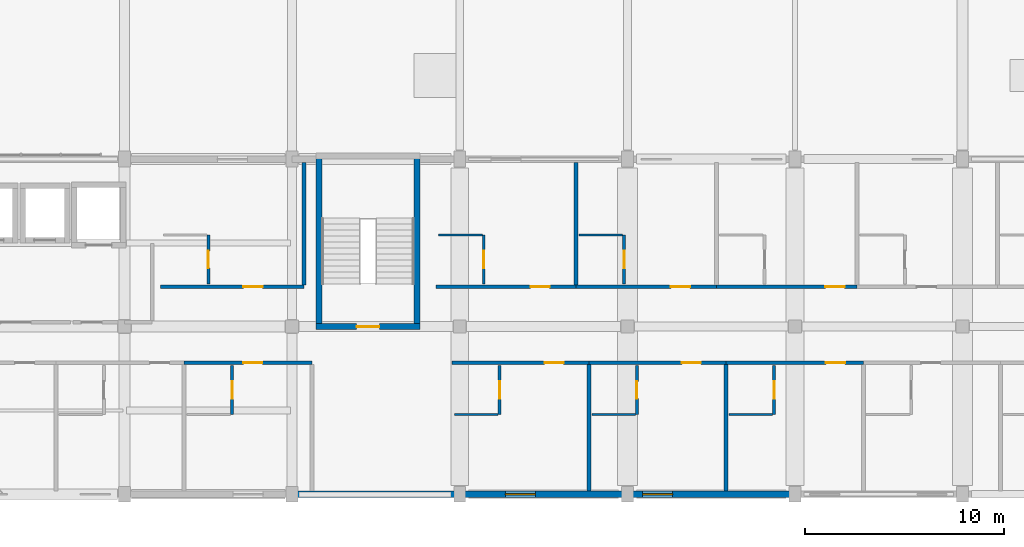
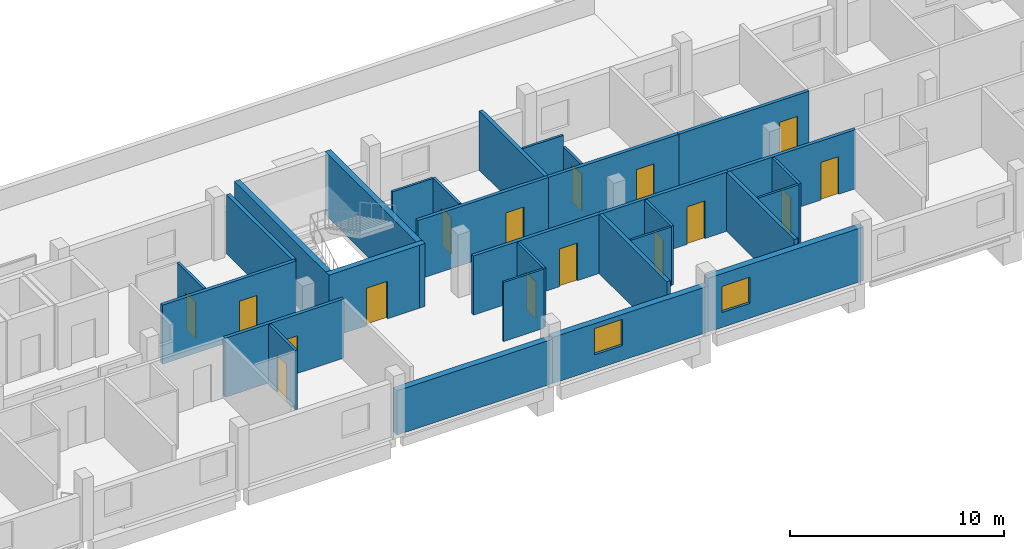
# One storey, part 34 of 42: 30 walls, 16 doors, 2 windows, 18 openings.
"""IFC4 building model written with IfcOpenShell, lengths in metres."""

from ifc_helpers import new_model, si_unit, derived_unit, direction, frame, frame_2d, origin, place, context, subcontext, project, spatial, rectangle, extrude, material, layer, layer_set, type_object, element, fill, save


model = new_model("IFC4")

# Units and contexts
model_context = context("Model", 3, precision=1e-05, world=origin(), true_north=direction((0.0, 1.0)))
body_context = subcontext(model_context, "Body", "Model", "MODEL_VIEW")
ifc_project = project(units=[si_unit("LENGTHUNIT", "METRE"), si_unit("AREAUNIT", "SQUARE_METRE"), si_unit("VOLUMEUNIT", "CUBIC_METRE"), si_unit("PLANEANGLEUNIT", "RADIAN"), si_unit("MASSUNIT", "GRAM", prefix="KILO"), derived_unit("THERMALTRANSMITTANCEUNIT", [(si_unit("POWERUNIT", "WATT"), 1), (si_unit("LENGTHUNIT", "METRE"), -2), (si_unit("THERMODYNAMICTEMPERATUREUNIT", "KELVIN"), -1)])], contexts=[model_context])

# Site, building, storey
site_placement = place(None, origin())
site = spatial("IfcSite", under=ifc_project, at=site_placement, CompositionType="ELEMENT")
building_placement = place(site_placement, origin())
building = spatial("IfcBuilding", under=site, at=building_placement, Name="Barrovel Congress Hotel", CompositionType="ELEMENT")
storey_placement = place(building_placement, frame((0.0, 0.0, 18.300048828125)))
storey = spatial("IfcBuildingStorey", under=building, at=storey_placement, Name="L04", CompositionType="ELEMENT", Elevation=18.300048828125)

# Wall
ifc_material_1 = material(Name="Fired Clay Brick Masonry", Category="masonry")
ifc_layer_1 = layer(ifc_material_1, 0.340087890625)
ifc_layer_set_1 = layer_set([ifc_layer_1], Name="Fired Clay Brick Masonry")
wall_type_1 = type_object("IfcWallType", Name="EW-BRK340", PredefinedType="STANDARD", material=ifc_layer_set_1)
wall_1_placement = place(storey_placement, frame((100.800048828125, 4.199951171875, 0.0), z_axis=(0.0, 0.0, 1.0), x_axis=(1.0, 0.0, 0.0)))
element("IfcWall", 1, at=wall_1_placement, inside=storey, type_object=wall_type_1, Name="EW:L04:HS-S:P09", PredefinedType="STANDARD", context=body_context, shape_type="SweptSolid", body=[
    extrude(rectangle(XDim=8.39990234375, YDim=0.340087890625, at=frame_2d((4.199951171875, 0.0))), origin(), (0.0, 0.0, 1.0), 2.530029296875),
])

# Wall, opening, window
wall_2_placement = place(storey_placement, frame((109.199951171875, 4.199951171875, 0.0), z_axis=(0.0, 0.0, 1.0), x_axis=(1.0, 0.0, 0.0)))
wall_2 = element("IfcWall", 2, at=wall_2_placement, inside=storey, type_object=wall_type_1, Name="EW:L04:HS-S:P10", PredefinedType="STANDARD", context=body_context, shape_type="SweptSolid", body=[
    extrude(rectangle(XDim=8.400146484375, YDim=0.340087890625, at=frame_2d((4.2001953125, 0.0))), origin(), (0.0, 0.0, 1.0), 2.6298828125),
])
opening_1_placement = place(wall_2_placement, frame((2.2900390625, 0.0, 0.85009765625)))
opening_1 = element("IfcOpeningElement", 3, at=opening_1_placement, cuts=wall_2, Name="Opening WN-07", PredefinedType="OPENING", context=body_context, shape_type="SweptSolid", body=[
    extrude(rectangle(XDim=1.5, YDim=1.5, at=frame_2d((0.75, 0.75))), frame((0.0, 0.18017578125, 0.0), z_axis=(0.0, -1.0, 0.0), x_axis=(1.0, 0.0, 0.0)), (0.0, 0.0, 1.0), 0.360107421875),
])
ifc_material_2 = material(Name="Double Low-E Insulated Glazing", Category="glass")
window_type = type_object("IfcWindowType", Name="WIN-WN-07", PartitioningType="SINGLE_PANEL", PredefinedType="WINDOW", material=ifc_material_2)
window_1_placement = place(opening_1_placement, origin())
window_1 = element("IfcWindow", 4, at=window_1_placement, inside=storey, type_object=window_type, Name="WIN:L04:U13", OverallHeight=1.5, OverallWidth=1.5, PartitioningType="SINGLE_PANEL", PredefinedType="WINDOW", context=body_context, shape_type="SweptSolid", body=[
    extrude(rectangle(XDim=1.5, YDim=1.5, at=frame_2d((0.75, 0.75))), frame((0.0, 0.030029296875, 0.0), z_axis=(0.0, -1.0, 0.0), x_axis=(1.0, 0.0, 0.0)), (0.0, 0.0, 1.0), 0.06005859375),
])
fill(opening_1, window_1)

wall_3_placement = place(storey_placement, frame((117.60009765625, 4.199951171875, 0.0), z_axis=(0.0, 0.0, 1.0), x_axis=(1.0, 0.0, 0.0)))
wall_3 = element("IfcWall", 5, at=wall_3_placement, inside=storey, type_object=wall_type_1, Name="EW:L04:HS-S:P11", PredefinedType="STANDARD", context=body_context, shape_type="SweptSolid", body=[
    extrude(rectangle(XDim=8.39990234375, YDim=0.340087890625, at=frame_2d((4.199951171875, 0.0))), origin(), (0.0, 0.0, 1.0), 3.070068359375),
])
opening_2_placement = place(wall_3_placement, frame((0.77001953125, 0.0, 0.85009765625)))
opening_2 = element("IfcOpeningElement", 6, at=opening_2_placement, cuts=wall_3, Name="Opening WN-07", PredefinedType="OPENING", context=body_context, shape_type="SweptSolid", body=[
    extrude(rectangle(XDim=1.5, YDim=1.5, at=frame_2d((0.75, 0.75))), frame((0.0, 0.18017578125, 0.0), z_axis=(0.0, -1.0, 0.0), x_axis=(1.0, 0.0, 0.0)), (0.0, 0.0, 1.0), 0.360107421875),
])
window_2_placement = place(opening_2_placement, origin())
window_2 = element("IfcWindow", 7, at=window_2_placement, inside=storey, type_object=window_type, Name="WIN:L04:U14", OverallHeight=1.5, OverallWidth=1.5, PartitioningType="SINGLE_PANEL", PredefinedType="WINDOW", context=body_context, shape_type="SweptSolid", body=[
    extrude(rectangle(XDim=1.5, YDim=1.5, at=frame_2d((0.75, 0.75))), frame((0.0, 0.030029296875, 0.0), z_axis=(0.0, -1.0, 0.0), x_axis=(1.0, 0.0, 0.0)), (0.0, 0.0, 1.0), 0.06005859375),
])
fill(opening_2, window_2)

# Wall, opening, door
ifc_material_3 = material(Name="Gypsum Acoustic Stud", Category="gypsum")
ifc_layer_2 = layer(ifc_material_3, 0.179931640625)
ifc_layer_set_2 = layer_set([ifc_layer_2], Name="Gypsum Acoustic Stud")
wall_type_2 = type_object("IfcWallType", Name="PW-ACU-180", PredefinedType="PARTITIONING", material=ifc_layer_set_2)
wall_4_placement = place(storey_placement, frame((95.3818359375, 10.800048828125, 0.0), z_axis=(0.0, 0.0, 1.0), x_axis=(1.0, 0.0, 0.0)))
wall_4 = element("IfcWall", 8, at=wall_4_placement, inside=storey, type_object=wall_type_2, Name="PW:L04:U12:COR", PredefinedType="PARTITIONING", context=body_context, shape_type="SweptSolid", body=[
    extrude(rectangle(XDim=6.418212890625, YDim=0.179931640625, at=frame_2d((3.208984375, 0.0))), origin(), (0.0, 0.0, 1.0), 3.375),
])
opening_3_placement = place(wall_4_placement, frame((2.96630859375, 0.0, 0.0)))
opening_3 = element("IfcOpeningElement", 9, at=opening_3_placement, cuts=wall_4, Name="Opening ID-HTL", PredefinedType="OPENING", context=body_context, shape_type="SweptSolid", body=[
    extrude(rectangle(XDim=0.9599609375, YDim=2.14990234375, at=frame_2d((0.47998046875, 1.074951171875))), frame((0.0, 0.10009765625, 0.0), z_axis=(0.0, -1.0, 0.0), x_axis=(1.0, 0.0, 0.0)), (0.0, 0.0, 1.0), 0.199951171875),
])
ifc_material_4 = material(Name="Solid Oak Acoustic Timber Door", Category="wood")
door_type_1 = type_object("IfcDoorType", Name="IDR-ID-HTL", OperationType="NOTDEFINED", PredefinedType="DOOR", material=ifc_material_4)
door_1_placement = place(opening_3_placement, origin())
door_1 = element("IfcDoor", 10, at=door_1_placement, inside=storey, type_object=door_type_1, Name="DR:L04:U12:ENT", OperationType="SINGLE_SWING_RIGHT", OverallHeight=2.14990234375, OverallWidth=0.9599609375, PredefinedType="DOOR", context=body_context, shape_type="SweptSolid", body=[
    extrude(rectangle(XDim=0.9599609375, YDim=2.14990234375, at=frame_2d((0.47998046875, 1.074951171875))), frame((0.0, 0.02490234375, 0.0), z_axis=(0.0, -1.0, 0.0), x_axis=(1.0, 0.0, 0.0)), (0.0, 0.0, 1.0), 0.050048828125),
])
fill(opening_3, door_1)

wall_5_placement = place(storey_placement, frame((108.800048828125, 10.800048828125, 0.0), z_axis=(0.0, 0.0, 1.0), x_axis=(1.0, 0.0, 0.0)))
wall_5 = element("IfcWall", 11, at=wall_5_placement, inside=storey, type_object=wall_type_2, Name="PW:L04:U13:COR", PredefinedType="PARTITIONING", context=body_context, shape_type="SweptSolid", body=[
    extrude(rectangle(XDim=6.8798828125, YDim=0.179931640625, at=frame_2d((3.43994140625, 0.0))), origin(), (0.0, 0.0, 1.0), 3.375),
])
opening_4_placement = place(wall_5_placement, frame((4.652587890625, 0.0, 0.0)))
opening_4 = element("IfcOpeningElement", 12, at=opening_4_placement, cuts=wall_5, Name="Opening ID-HTL", PredefinedType="OPENING", context=body_context, shape_type="SweptSolid", body=[
    extrude(rectangle(XDim=0.9599609375, YDim=2.14990234375, at=frame_2d((0.47998046875, 1.074951171875))), frame((0.0, 0.10009765625, 0.0), z_axis=(0.0, -1.0, 0.0), x_axis=(1.0, 0.0, 0.0)), (0.0, 0.0, 1.0), 0.199951171875),
])
door_2_placement = place(opening_4_placement, origin())
door_2 = element("IfcDoor", 13, at=door_2_placement, inside=storey, type_object=door_type_1, Name="DR:L04:U13:ENT", OperationType="SINGLE_SWING_RIGHT", OverallHeight=2.14990234375, OverallWidth=0.9599609375, PredefinedType="DOOR", context=body_context, shape_type="SweptSolid", body=[
    extrude(rectangle(XDim=0.9599609375, YDim=2.14990234375, at=frame_2d((0.47998046875, 1.074951171875))), frame((0.0, 0.02490234375, 0.0), z_axis=(0.0, -1.0, 0.0), x_axis=(1.0, 0.0, 0.0)), (0.0, 0.0, 1.0), 0.050048828125),
])
fill(opening_4, door_2)

wall_6_placement = place(storey_placement, frame((115.679931640625, 10.800048828125, 0.0), z_axis=(0.0, 0.0, 1.0), x_axis=(1.0, 0.0, 0.0)))
wall_6 = element("IfcWall", 14, at=wall_6_placement, inside=storey, type_object=wall_type_2, Name="PW:L04:U14:COR", PredefinedType="PARTITIONING", context=body_context, shape_type="SweptSolid", body=[
    extrude(rectangle(XDim=6.880126953125, YDim=0.179931640625, at=frame_2d((3.43994140625, 0.0))), origin(), (0.0, 0.0, 1.0), 3.375),
])
opening_5_placement = place(wall_6_placement, frame((4.652587890625, 0.0, 0.0)))
opening_5 = element("IfcOpeningElement", 15, at=opening_5_placement, cuts=wall_6, Name="Opening ID-HTL", PredefinedType="OPENING", context=body_context, shape_type="SweptSolid", body=[
    extrude(rectangle(XDim=0.9599609375, YDim=2.14990234375, at=frame_2d((0.47998046875, 1.074951171875))), frame((0.0, 0.10009765625, 0.0), z_axis=(0.0, -1.0, 0.0), x_axis=(1.0, 0.0, 0.0)), (0.0, 0.0, 1.0), 0.199951171875),
])
door_3_placement = place(opening_5_placement, origin())
door_3 = element("IfcDoor", 16, at=door_3_placement, inside=storey, type_object=door_type_1, Name="DR:L04:U14:ENT", OperationType="SINGLE_SWING_RIGHT", OverallHeight=2.14990234375, OverallWidth=0.9599609375, PredefinedType="DOOR", context=body_context, shape_type="SweptSolid", body=[
    extrude(rectangle(XDim=0.9599609375, YDim=2.14990234375, at=frame_2d((0.47998046875, 1.074951171875))), frame((0.0, 0.02490234375, 0.0), z_axis=(0.0, -1.0, 0.0), x_axis=(1.0, 0.0, 0.0)), (0.0, 0.0, 1.0), 0.050048828125),
])
fill(opening_5, door_3)

wall_7_placement = place(storey_placement, frame((122.56005859375, 10.800048828125, 0.0), z_axis=(0.0, 0.0, 1.0), x_axis=(1.0, 0.0, 0.0)))
wall_7 = element("IfcWall", 17, at=wall_7_placement, inside=storey, type_object=wall_type_2, Name="PW:L04:U15:COR", PredefinedType="PARTITIONING", context=body_context, shape_type="SweptSolid", body=[
    extrude(rectangle(XDim=6.8798828125, YDim=0.179931640625, at=frame_2d((3.43994140625, 0.0))), origin(), (0.0, 0.0, 1.0), 3.375),
])
opening_6_placement = place(wall_7_placement, frame((5.002685546875, 0.0, 0.0)))
opening_6 = element("IfcOpeningElement", 18, at=opening_6_placement, cuts=wall_7, Name="Opening ID-HTL", PredefinedType="OPENING", context=body_context, shape_type="SweptSolid", body=[
    extrude(rectangle(XDim=0.9599609375, YDim=2.14990234375, at=frame_2d((0.47998046875, 1.074951171875))), frame((0.0, 0.10009765625, 0.0), z_axis=(0.0, -1.0, 0.0), x_axis=(1.0, 0.0, 0.0)), (0.0, 0.0, 1.0), 0.199951171875),
])
door_4_placement = place(opening_6_placement, origin())
door_4 = element("IfcDoor", 19, at=door_4_placement, inside=storey, type_object=door_type_1, Name="DR:L04:U15:ENT", OperationType="SINGLE_SWING_RIGHT", OverallHeight=2.14990234375, OverallWidth=0.9599609375, PredefinedType="DOOR", context=body_context, shape_type="SweptSolid", body=[
    extrude(rectangle(XDim=0.9599609375, YDim=2.14990234375, at=frame_2d((0.47998046875, 1.074951171875))), frame((0.0, 0.02490234375, 0.0), z_axis=(0.0, -1.0, 0.0), x_axis=(1.0, 0.0, 0.0)), (0.0, 0.0, 1.0), 0.050048828125),
])
fill(opening_6, door_4)

wall_8_placement = place(storey_placement, frame((94.199951171875, 14.60009765625, 0.0), z_axis=(0.0, 0.0, 1.0), x_axis=(1.0, 0.0, 0.0)))
wall_8 = element("IfcWall", 20, at=wall_8_placement, inside=storey, type_object=wall_type_2, Name="PW:L04:U24:COR", PredefinedType="PARTITIONING", context=body_context, shape_type="SweptSolid", body=[
    extrude(rectangle(XDim=7.199951171875, YDim=0.179931640625, at=frame_2d((3.60009765625, 0.0))), origin(), (0.0, 0.0, 1.0), 3.375),
])
opening_7_placement = place(wall_8_placement, frame((4.15087890625, 0.0, 0.0)))
opening_7 = element("IfcOpeningElement", 21, at=opening_7_placement, cuts=wall_8, Name="Opening ID-HTL", PredefinedType="OPENING", context=body_context, shape_type="SweptSolid", body=[
    extrude(rectangle(XDim=0.9599609375, YDim=2.14990234375, at=frame_2d((0.47998046875, 1.074951171875))), frame((0.0, 0.10009765625, 0.0), z_axis=(0.0, -1.0, 0.0), x_axis=(1.0, 0.0, 0.0)), (0.0, 0.0, 1.0), 0.199951171875),
])
door_5_placement = place(opening_7_placement, origin())
door_5 = element("IfcDoor", 22, at=door_5_placement, inside=storey, type_object=door_type_1, Name="DR:L04:U24:ENT", OperationType="SINGLE_SWING_RIGHT", OverallHeight=2.14990234375, OverallWidth=0.9599609375, PredefinedType="DOOR", context=body_context, shape_type="SweptSolid", body=[
    extrude(rectangle(XDim=0.9599609375, YDim=2.14990234375, at=frame_2d((0.47998046875, 1.074951171875))), frame((0.0, 0.02490234375, 0.0), z_axis=(0.0, -1.0, 0.0), x_axis=(1.0, 0.0, 0.0)), (0.0, 0.0, 1.0), 0.050048828125),
])
fill(opening_7, door_5)

wall_9_placement = place(storey_placement, frame((108.0, 14.60009765625, 0.0), z_axis=(0.0, 0.0, 1.0), x_axis=(1.0, 0.0, 0.0)))
wall_9 = element("IfcWall", 23, at=wall_9_placement, inside=storey, type_object=wall_type_2, Name="PW:L04:U25:COR", PredefinedType="PARTITIONING", context=body_context, shape_type="SweptSolid", body=[
    extrude(rectangle(XDim=7.0400390625, YDim=0.179931640625, at=frame_2d((3.52001953125, 0.0))), origin(), (0.0, 0.0, 1.0), 3.375),
])
opening_8_placement = place(wall_9_placement, frame((4.751708984375, 0.0, 0.0)))
opening_8 = element("IfcOpeningElement", 24, at=opening_8_placement, cuts=wall_9, Name="Opening ID-HTL", PredefinedType="OPENING", context=body_context, shape_type="SweptSolid", body=[
    extrude(rectangle(XDim=0.9599609375, YDim=2.14990234375, at=frame_2d((0.47998046875, 1.074951171875))), frame((0.0, 0.10009765625, 0.0), z_axis=(0.0, -1.0, 0.0), x_axis=(1.0, 0.0, 0.0)), (0.0, 0.0, 1.0), 0.199951171875),
])
door_6_placement = place(opening_8_placement, origin())
door_6 = element("IfcDoor", 25, at=door_6_placement, inside=storey, type_object=door_type_1, Name="DR:L04:U25:ENT", OperationType="SINGLE_SWING_RIGHT", OverallHeight=2.14990234375, OverallWidth=0.9599609375, PredefinedType="DOOR", context=body_context, shape_type="SweptSolid", body=[
    extrude(rectangle(XDim=0.9599609375, YDim=2.14990234375, at=frame_2d((0.47998046875, 1.074951171875))), frame((0.0, 0.02490234375, 0.0), z_axis=(0.0, -1.0, 0.0), x_axis=(1.0, 0.0, 0.0)), (0.0, 0.0, 1.0), 0.050048828125),
])
fill(opening_8, door_6)

wall_10_placement = place(storey_placement, frame((115.0400390625, 14.60009765625, 0.0), z_axis=(0.0, 0.0, 1.0), x_axis=(1.0, 0.0, 0.0)))
wall_10 = element("IfcWall", 26, at=wall_10_placement, inside=storey, type_object=wall_type_2, Name="PW:L04:U26:COR", PredefinedType="PARTITIONING", context=body_context, shape_type="SweptSolid", body=[
    extrude(rectangle(XDim=7.0400390625, YDim=0.179931640625, at=frame_2d((3.52001953125, 0.0))), origin(), (0.0, 0.0, 1.0), 3.375),
])
opening_9_placement = place(wall_10_placement, frame((4.751708984375, 0.0, 0.0)))
opening_9 = element("IfcOpeningElement", 27, at=opening_9_placement, cuts=wall_10, Name="Opening ID-HTL", PredefinedType="OPENING", context=body_context, shape_type="SweptSolid", body=[
    extrude(rectangle(XDim=0.9599609375, YDim=2.14990234375, at=frame_2d((0.47998046875, 1.074951171875))), frame((0.0, 0.10009765625, 0.0), z_axis=(0.0, -1.0, 0.0), x_axis=(1.0, 0.0, 0.0)), (0.0, 0.0, 1.0), 0.199951171875),
])
door_7_placement = place(opening_9_placement, origin())
door_7 = element("IfcDoor", 28, at=door_7_placement, inside=storey, type_object=door_type_1, Name="DR:L04:U26:ENT", OperationType="SINGLE_SWING_RIGHT", OverallHeight=2.14990234375, OverallWidth=0.9599609375, PredefinedType="DOOR", context=body_context, shape_type="SweptSolid", body=[
    extrude(rectangle(XDim=0.9599609375, YDim=2.14990234375, at=frame_2d((0.47998046875, 1.074951171875))), frame((0.0, 0.02490234375, 0.0), z_axis=(0.0, -1.0, 0.0), x_axis=(1.0, 0.0, 0.0)), (0.0, 0.0, 1.0), 0.050048828125),
])
fill(opening_9, door_7)

wall_11_placement = place(storey_placement, frame((122.080078125, 14.60009765625, 0.0), z_axis=(0.0, 0.0, 1.0), x_axis=(1.0, 0.0, 0.0)))
wall_11 = element("IfcWall", 29, at=wall_11_placement, inside=storey, type_object=wall_type_2, Name="PW:L04:U27:COR", PredefinedType="PARTITIONING", context=body_context, shape_type="SweptSolid", body=[
    extrude(rectangle(XDim=7.0400390625, YDim=0.179931640625, at=frame_2d((3.52001953125, 0.0))), origin(), (0.0, 0.0, 1.0), 3.375),
])
opening_10_placement = place(wall_11_placement, frame((5.451904296875, 0.0, 0.0)))
opening_10 = element("IfcOpeningElement", 30, at=opening_10_placement, cuts=wall_11, Name="Opening ID-HTL", PredefinedType="OPENING", context=body_context, shape_type="SweptSolid", body=[
    extrude(rectangle(XDim=0.9599609375, YDim=2.14990234375, at=frame_2d((0.47998046875, 1.074951171875))), frame((0.0, 0.10009765625, 0.0), z_axis=(0.0, -1.0, 0.0), x_axis=(1.0, 0.0, 0.0)), (0.0, 0.0, 1.0), 0.199951171875),
])
door_8_placement = place(opening_10_placement, origin())
door_8 = element("IfcDoor", 31, at=door_8_placement, inside=storey, type_object=door_type_1, Name="DR:L04:U27:ENT", OperationType="SINGLE_SWING_RIGHT", OverallHeight=2.14990234375, OverallWidth=0.9599609375, PredefinedType="DOOR", context=body_context, shape_type="SweptSolid", body=[
    extrude(rectangle(XDim=0.9599609375, YDim=2.14990234375, at=frame_2d((0.47998046875, 1.074951171875))), frame((0.0, 0.02490234375, 0.0), z_axis=(0.0, -1.0, 0.0), x_axis=(1.0, 0.0, 0.0)), (0.0, 0.0, 1.0), 0.050048828125),
])
fill(opening_10, door_8)

# Walls
ifc_layer_3 = layer(ifc_material_3, 0.1201171875)
ifc_layer_set_3 = layer_set([ifc_layer_3], Name="Gypsum Acoustic Stud")
wall_type_3 = type_object("IfcWallType", Name="PW-INT-120", PredefinedType="PARTITIONING", material=ifc_layer_set_3)
for number, where, z_axis, x_axis, name in (
    (32, (108.93994140625, 8.199951171875, 0.0), (0.0, 0.0, 1.0), (1.0, 0.0, 0.0), "PW:L04:U13:B2"),
    (33, (115.820068359375, 8.199951171875, 0.0), (0.0, 0.0, 1.0), (1.0, 0.0, 0.0), "PW:L04:U14:B2"),
    (34, (122.699951171875, 8.199951171875, 0.0), (0.0, 0.0, 1.0), (1.0, 0.0, 0.0), "PW:L04:U15:B2"),
):
    element("IfcWall", number, at=place(storey_placement, frame(where, z_axis=z_axis, x_axis=x_axis)), inside=storey, type_object=wall_type_3, Name=name, PredefinedType="PARTITIONING", context=body_context, shape_type="SweptSolid", body=[
        extrude(rectangle(XDim=2.18994140625, YDim=0.1201171875, at=frame_2d((1.094970703125, 0.0))), origin(), (0.0, 0.0, 1.0), 3.375),
    ])
for number, where, z_axis, x_axis, name in (
    (35, (108.139892578125, 17.199951171875, 0.0), (0.0, 0.0, 1.0), (1.0, 0.0, 0.0), "PW:L04:U25:B2"),
    (36, (115.179931640625, 17.199951171875, 0.0), (0.0, 0.0, 1.0), (1.0, 0.0, 0.0), "PW:L04:U26:B2"),
):
    element("IfcWall", number, at=place(storey_placement, frame(where, z_axis=z_axis, x_axis=x_axis)), inside=storey, type_object=wall_type_3, Name=name, PredefinedType="PARTITIONING", context=body_context, shape_type="SweptSolid", body=[
        extrude(rectangle(XDim=2.190185546875, YDim=0.1201171875, at=frame_2d((1.09521484375, 0.0))), origin(), (0.0, 0.0, 1.0), 3.375),
    ])
ifc_layer_4 = layer(ifc_material_1, 0.199951171875)
ifc_layer_set_4 = layer_set([ifc_layer_4], Name="Fired Clay Brick Masonry")
wall_type_4 = type_object("IfcWallType", Name="PW-MAS-200", PredefinedType="PARTITIONING", material=ifc_layer_set_4)
for number, where, z_axis, x_axis, name in (
    (37, (115.679931640625, 4.3701171875, 0.0), (0.0, 0.0, 1.0), (0.0, 1.0, 0.0), "PW:L04:U13:DEM"),
    (38, (122.56005859375, 4.3701171875, 0.0), (0.0, 0.0, 1.0), (0.0, 1.0, 0.0), "PW:L04:U14:DEM"),
):
    element("IfcWall", number, at=place(storey_placement, frame(where, z_axis=z_axis, x_axis=x_axis)), inside=storey, type_object=wall_type_4, Name=name, PredefinedType="PARTITIONING", context=body_context, shape_type="SweptSolid", body=[
        extrude(rectangle(XDim=6.33984375, YDim=0.199951171875, at=frame_2d((3.169921875, 0.0))), origin(), (0.0, 0.0, 1.0), 3.375),
    ])
for number, where, z_axis, x_axis, name in (
    (39, (101.39990234375, 14.68994140625, 0.0), (0.0, 0.0, 1.0), (0.0, 1.0, 0.0), "PW:L04:U24:DEM"),
    (40, (115.0400390625, 14.68994140625, 0.0), (0.0, 0.0, 1.0), (0.0, 1.0, 0.0), "PW:L04:U25:DEM"),
):
    element("IfcWall", number, at=place(storey_placement, frame(where, z_axis=z_axis, x_axis=x_axis)), inside=storey, type_object=wall_type_4, Name=name, PredefinedType="PARTITIONING", context=body_context, shape_type="SweptSolid", body=[
        extrude(rectangle(XDim=6.14013671875, YDim=0.199951171875, at=frame_2d((3.070068359375, 0.0))), origin(), (0.0, 0.0, 1.0), 3.375),
    ])

# Wall, opening, door
ifc_material_5 = material(Name="Gypsum Moisture Board", Category="gypsum")
ifc_layer_5 = layer(ifc_material_5, 0.139892578125)
ifc_layer_set_5 = layer_set([ifc_layer_5], Name="Gypsum Moisture Board")
wall_type_5 = type_object("IfcWallType", Name="PW-WET-140", PredefinedType="PARTITIONING", material=ifc_layer_set_5)
wall_12_placement = place(storey_placement, frame((97.78173828125, 8.199951171875, 0.0), z_axis=(0.0, 0.0, 1.0), x_axis=(0.0, 1.0, 0.0)))
wall_12 = element("IfcWall", 41, at=wall_12_placement, inside=storey, type_object=wall_type_5, Name="PW:L04:U12:B1", PredefinedType="PARTITIONING", context=body_context, shape_type="SweptSolid", body=[
    extrude(rectangle(XDim=2.4599609375, YDim=0.139892578125, at=frame_2d((1.22998046875, 0.0))), origin(), (0.0, 0.0, 1.0), 3.375),
])
opening_11_placement = place(wall_12_placement, frame((0.800048828125, 0.0, 0.0)))
opening_11 = element("IfcOpeningElement", 42, at=opening_11_placement, cuts=wall_12, Name="Opening ID-ENS", PredefinedType="OPENING", context=body_context, shape_type="SweptSolid", body=[
    extrude(rectangle(XDim=0.860107421875, YDim=2.10009765625, at=frame_2d((0.43017578125, 1.050048828125))), frame((0.0, 0.080078125, 0.0), z_axis=(0.0, -1.0, 0.0), x_axis=(1.0, 0.0, 0.0)), (0.0, 0.0, 1.0), 0.159912109375),
])
ifc_material_6 = material(Name="Lacquered Timber Moisture Door", Category="wood")
door_type_2 = type_object("IfcDoorType", Name="IDR-ID-ENS", OperationType="NOTDEFINED", PredefinedType="DOOR", material=ifc_material_6)
door_9_placement = place(opening_11_placement, origin())
door_9 = element("IfcDoor", 43, at=door_9_placement, inside=storey, type_object=door_type_2, Name="DR:L04:U12:ENS", OperationType="SINGLE_SWING_LEFT", OverallHeight=2.10009765625, OverallWidth=0.860107421875, PredefinedType="DOOR", context=body_context, shape_type="SweptSolid", body=[
    extrude(rectangle(XDim=0.860107421875, YDim=2.10009765625, at=frame_2d((0.43017578125, 1.050048828125))), frame((0.0, 0.02490234375, 0.0), z_axis=(0.0, -1.0, 0.0), x_axis=(1.0, 0.0, 0.0)), (0.0, 0.0, 1.0), 0.050048828125),
])
fill(opening_11, door_9)

wall_13_placement = place(storey_placement, frame((111.199951171875, 8.199951171875, 0.0), z_axis=(0.0, 0.0, 1.0), x_axis=(0.0, 1.0, 0.0)))
wall_13 = element("IfcWall", 44, at=wall_13_placement, inside=storey, type_object=wall_type_5, Name="PW:L04:U13:B1", PredefinedType="PARTITIONING", context=body_context, shape_type="SweptSolid", body=[
    extrude(rectangle(XDim=2.4599609375, YDim=0.139892578125, at=frame_2d((1.22998046875, 0.0))), origin(), (0.0, 0.0, 1.0), 3.375),
])
opening_12_placement = place(wall_13_placement, frame((0.800048828125, 0.0, 0.0)))
opening_12 = element("IfcOpeningElement", 45, at=opening_12_placement, cuts=wall_13, Name="Opening ID-ENS", PredefinedType="OPENING", context=body_context, shape_type="SweptSolid", body=[
    extrude(rectangle(XDim=0.860107421875, YDim=2.10009765625, at=frame_2d((0.43017578125, 1.050048828125))), frame((0.0, 0.080078125, 0.0), z_axis=(0.0, -1.0, 0.0), x_axis=(1.0, 0.0, 0.0)), (0.0, 0.0, 1.0), 0.159912109375),
])
door_10_placement = place(opening_12_placement, origin())
door_10 = element("IfcDoor", 46, at=door_10_placement, inside=storey, type_object=door_type_2, Name="DR:L04:U13:ENS", OperationType="SINGLE_SWING_LEFT", OverallHeight=2.10009765625, OverallWidth=0.860107421875, PredefinedType="DOOR", context=body_context, shape_type="SweptSolid", body=[
    extrude(rectangle(XDim=0.860107421875, YDim=2.10009765625, at=frame_2d((0.43017578125, 1.050048828125))), frame((0.0, 0.02490234375, 0.0), z_axis=(0.0, -1.0, 0.0), x_axis=(1.0, 0.0, 0.0)), (0.0, 0.0, 1.0), 0.050048828125),
])
fill(opening_12, door_10)

wall_14_placement = place(storey_placement, frame((118.080078125, 8.199951171875, 0.0), z_axis=(0.0, 0.0, 1.0), x_axis=(0.0, 1.0, 0.0)))
wall_14 = element("IfcWall", 47, at=wall_14_placement, inside=storey, type_object=wall_type_5, Name="PW:L04:U14:B1", PredefinedType="PARTITIONING", context=body_context, shape_type="SweptSolid", body=[
    extrude(rectangle(XDim=2.4599609375, YDim=0.139892578125, at=frame_2d((1.22998046875, 0.0))), origin(), (0.0, 0.0, 1.0), 3.375),
])
opening_13_placement = place(wall_14_placement, frame((0.800048828125, 0.0, 0.0)))
opening_13 = element("IfcOpeningElement", 48, at=opening_13_placement, cuts=wall_14, Name="Opening ID-ENS", PredefinedType="OPENING", context=body_context, shape_type="SweptSolid", body=[
    extrude(rectangle(XDim=0.860107421875, YDim=2.10009765625, at=frame_2d((0.43017578125, 1.050048828125))), frame((0.0, 0.080078125, 0.0), z_axis=(0.0, -1.0, 0.0), x_axis=(1.0, 0.0, 0.0)), (0.0, 0.0, 1.0), 0.159912109375),
])
door_11_placement = place(opening_13_placement, origin())
door_11 = element("IfcDoor", 49, at=door_11_placement, inside=storey, type_object=door_type_2, Name="DR:L04:U14:ENS", OperationType="SINGLE_SWING_LEFT", OverallHeight=2.10009765625, OverallWidth=0.860107421875, PredefinedType="DOOR", context=body_context, shape_type="SweptSolid", body=[
    extrude(rectangle(XDim=0.860107421875, YDim=2.10009765625, at=frame_2d((0.43017578125, 1.050048828125))), frame((0.0, 0.02490234375, 0.0), z_axis=(0.0, -1.0, 0.0), x_axis=(1.0, 0.0, 0.0)), (0.0, 0.0, 1.0), 0.050048828125),
])
fill(opening_13, door_11)

wall_15_placement = place(storey_placement, frame((124.9599609375, 8.199951171875, 0.0), z_axis=(0.0, 0.0, 1.0), x_axis=(0.0, 1.0, 0.0)))
wall_15 = element("IfcWall", 50, at=wall_15_placement, inside=storey, type_object=wall_type_5, Name="PW:L04:U15:B1", PredefinedType="PARTITIONING", context=body_context, shape_type="SweptSolid", body=[
    extrude(rectangle(XDim=2.4599609375, YDim=0.139892578125, at=frame_2d((1.22998046875, 0.0))), origin(), (0.0, 0.0, 1.0), 3.375),
])
opening_14_placement = place(wall_15_placement, frame((0.800048828125, 0.0, 0.0)))
opening_14 = element("IfcOpeningElement", 51, at=opening_14_placement, cuts=wall_15, Name="Opening ID-ENS", PredefinedType="OPENING", context=body_context, shape_type="SweptSolid", body=[
    extrude(rectangle(XDim=0.860107421875, YDim=2.10009765625, at=frame_2d((0.43017578125, 1.050048828125))), frame((0.0, 0.080078125, 0.0), z_axis=(0.0, -1.0, 0.0), x_axis=(1.0, 0.0, 0.0)), (0.0, 0.0, 1.0), 0.159912109375),
])
door_12_placement = place(opening_14_placement, origin())
door_12 = element("IfcDoor", 52, at=door_12_placement, inside=storey, type_object=door_type_2, Name="DR:L04:U15:ENS", OperationType="SINGLE_SWING_LEFT", OverallHeight=2.10009765625, OverallWidth=0.860107421875, PredefinedType="DOOR", context=body_context, shape_type="SweptSolid", body=[
    extrude(rectangle(XDim=0.860107421875, YDim=2.10009765625, at=frame_2d((0.43017578125, 1.050048828125))), frame((0.0, 0.02490234375, 0.0), z_axis=(0.0, -1.0, 0.0), x_axis=(1.0, 0.0, 0.0)), (0.0, 0.0, 1.0), 0.050048828125),
])
fill(opening_14, door_12)

wall_16_placement = place(storey_placement, frame((96.60009765625, 14.739990234375, 0.0), z_axis=(0.0, 0.0, 1.0), x_axis=(0.0, 1.0, 0.0)))
wall_16 = element("IfcWall", 53, at=wall_16_placement, inside=storey, type_object=wall_type_5, Name="PW:L04:U24:B1", PredefinedType="PARTITIONING", context=body_context, shape_type="SweptSolid", body=[
    extrude(rectangle(XDim=2.4599609375, YDim=0.139892578125, at=frame_2d((1.22998046875, 0.0))), origin(), (0.0, 0.0, 1.0), 3.375),
])
opening_15_placement = place(wall_16_placement, frame((0.800048828125, 0.0, 0.0)))
opening_15 = element("IfcOpeningElement", 54, at=opening_15_placement, cuts=wall_16, Name="Opening ID-ENS", PredefinedType="OPENING", context=body_context, shape_type="SweptSolid", body=[
    extrude(rectangle(XDim=0.860107421875, YDim=2.10009765625, at=frame_2d((0.43017578125, 1.050048828125))), frame((0.0, 0.080078125, 0.0), z_axis=(0.0, -1.0, 0.0), x_axis=(1.0, 0.0, 0.0)), (0.0, 0.0, 1.0), 0.159912109375),
])
door_13_placement = place(opening_15_placement, origin())
door_13 = element("IfcDoor", 55, at=door_13_placement, inside=storey, type_object=door_type_2, Name="DR:L04:U24:ENS", OperationType="SINGLE_SWING_LEFT", OverallHeight=2.10009765625, OverallWidth=0.860107421875, PredefinedType="DOOR", context=body_context, shape_type="SweptSolid", body=[
    extrude(rectangle(XDim=0.860107421875, YDim=2.10009765625, at=frame_2d((0.43017578125, 1.050048828125))), frame((0.0, 0.02490234375, 0.0), z_axis=(0.0, -1.0, 0.0), x_axis=(1.0, 0.0, 0.0)), (0.0, 0.0, 1.0), 0.050048828125),
])
fill(opening_15, door_13)

wall_17_placement = place(storey_placement, frame((110.39990234375, 14.739990234375, 0.0), z_axis=(0.0, 0.0, 1.0), x_axis=(0.0, 1.0, 0.0)))
wall_17 = element("IfcWall", 56, at=wall_17_placement, inside=storey, type_object=wall_type_5, Name="PW:L04:U25:B1", PredefinedType="PARTITIONING", context=body_context, shape_type="SweptSolid", body=[
    extrude(rectangle(XDim=2.4599609375, YDim=0.139892578125, at=frame_2d((1.22998046875, 0.0))), origin(), (0.0, 0.0, 1.0), 3.375),
])
opening_16_placement = place(wall_17_placement, frame((0.800048828125, 0.0, 0.0)))
opening_16 = element("IfcOpeningElement", 57, at=opening_16_placement, cuts=wall_17, Name="Opening ID-ENS", PredefinedType="OPENING", context=body_context, shape_type="SweptSolid", body=[
    extrude(rectangle(XDim=0.860107421875, YDim=2.10009765625, at=frame_2d((0.43017578125, 1.050048828125))), frame((0.0, 0.080078125, 0.0), z_axis=(0.0, -1.0, 0.0), x_axis=(1.0, 0.0, 0.0)), (0.0, 0.0, 1.0), 0.159912109375),
])
door_14_placement = place(opening_16_placement, origin())
door_14 = element("IfcDoor", 58, at=door_14_placement, inside=storey, type_object=door_type_2, Name="DR:L04:U25:ENS", OperationType="SINGLE_SWING_LEFT", OverallHeight=2.10009765625, OverallWidth=0.860107421875, PredefinedType="DOOR", context=body_context, shape_type="SweptSolid", body=[
    extrude(rectangle(XDim=0.860107421875, YDim=2.10009765625, at=frame_2d((0.43017578125, 1.050048828125))), frame((0.0, 0.02490234375, 0.0), z_axis=(0.0, -1.0, 0.0), x_axis=(1.0, 0.0, 0.0)), (0.0, 0.0, 1.0), 0.050048828125),
])
fill(opening_16, door_14)

wall_18_placement = place(storey_placement, frame((117.43994140625, 14.739990234375, 0.0), z_axis=(0.0, 0.0, 1.0), x_axis=(0.0, 1.0, 0.0)))
wall_18 = element("IfcWall", 59, at=wall_18_placement, inside=storey, type_object=wall_type_5, Name="PW:L04:U26:B1", PredefinedType="PARTITIONING", context=body_context, shape_type="SweptSolid", body=[
    extrude(rectangle(XDim=2.4599609375, YDim=0.139892578125, at=frame_2d((1.22998046875, 0.0))), origin(), (0.0, 0.0, 1.0), 2.679931640625),
])
opening_17_placement = place(wall_18_placement, frame((0.800048828125, 0.0, 0.0)))
opening_17 = element("IfcOpeningElement", 60, at=opening_17_placement, cuts=wall_18, Name="Opening ID-ENS", PredefinedType="OPENING", context=body_context, shape_type="SweptSolid", body=[
    extrude(rectangle(XDim=0.860107421875, YDim=2.10009765625, at=frame_2d((0.43017578125, 1.050048828125))), frame((0.0, 0.080078125, 0.0), z_axis=(0.0, -1.0, 0.0), x_axis=(1.0, 0.0, 0.0)), (0.0, 0.0, 1.0), 0.159912109375),
])
door_15_placement = place(opening_17_placement, origin())
door_15 = element("IfcDoor", 61, at=door_15_placement, inside=storey, type_object=door_type_2, Name="DR:L04:U26:ENS", OperationType="SINGLE_SWING_LEFT", OverallHeight=2.10009765625, OverallWidth=0.860107421875, PredefinedType="DOOR", context=body_context, shape_type="SweptSolid", body=[
    extrude(rectangle(XDim=0.860107421875, YDim=2.10009765625, at=frame_2d((0.43017578125, 1.050048828125))), frame((0.0, 0.02490234375, 0.0), z_axis=(0.0, -1.0, 0.0), x_axis=(1.0, 0.0, 0.0)), (0.0, 0.0, 1.0), 0.050048828125),
])
fill(opening_17, door_15)

ifc_material_7 = material(Name="Concrete C40", Category="concrete")
ifc_layer_6 = layer(ifc_material_7, 0.300048828125)
ifc_layer_set_6 = layer_set([ifc_layer_6], Name="Concrete C40")
wall_type_6 = type_object("IfcWallType", Name="SW-C40-300", PredefinedType="SHEAR", material=ifc_layer_set_6)
wall_19_placement = place(storey_placement, frame((102.0, 12.610107421875, 0.0), z_axis=(0.0, 0.0, 1.0), x_axis=(1.0, 0.0, 0.0)))
wall_19 = element("IfcWall", 62, at=wall_19_placement, inside=storey, type_object=wall_type_6, Name="SHW:XS-03:L04:S", PredefinedType="SHEAR", context=body_context, shape_type="SweptSolid", body=[
    extrude(rectangle(XDim=5.199951171875, YDim=0.300048828125, at=frame_2d((2.60009765625, 0.0))), origin(), (0.0, 0.0, 1.0), 3.599853515625),
])
opening_18_placement = place(wall_19_placement, frame((2.02490234375, 0.0, 0.0)))
opening_18 = element("IfcOpeningElement", 63, at=opening_18_placement, cuts=wall_19, Name="Opening ID-ST1", PredefinedType="OPENING", context=body_context, shape_type="SweptSolid", body=[
    extrude(rectangle(XDim=1.14990234375, YDim=2.14990234375, at=frame_2d((0.574951171875, 1.074951171875))), frame((0.0, 0.16015625, 0.0), z_axis=(0.0, -1.0, 0.0), x_axis=(1.0, 0.0, 0.0)), (0.0, 0.0, 1.0), 0.320068359375),
])
ifc_material_8 = material(Name="Painted Hollow-Metal Steel Door", Category="steel")
door_type_3 = type_object("IfcDoorType", Name="IDR-ID-ST1", OperationType="NOTDEFINED", PredefinedType="DOOR", material=ifc_material_8)
door_16_placement = place(opening_18_placement, origin())
door_16 = element("IfcDoor", 64, at=door_16_placement, inside=storey, type_object=door_type_3, Name="Stair Core Fire Door XS-03-L04", OperationType="SINGLE_SWING_RIGHT", OverallHeight=2.14990234375, OverallWidth=1.14990234375, PredefinedType="DOOR", context=body_context, shape_type="SweptSolid", body=[
    extrude(rectangle(XDim=1.14990234375, YDim=2.14990234375, at=frame_2d((0.574951171875, 1.074951171875))), frame((0.0, 0.02490234375, 0.0), z_axis=(0.0, -1.0, 0.0), x_axis=(1.0, 0.0, 0.0)), (0.0, 0.0, 1.0), 0.050048828125),
])
fill(opening_18, door_16)

# Walls
for number, where, z_axis, x_axis, name in (
    (65, (107.050048828125, 12.4599609375, 0.0), (0.0, 0.0, 1.0), (0.0, 1.0, 0.0), "SHW:XS-03:L04:E"),
    (66, (102.14990234375, 21.300048828125, 0.0), (0.0, 0.0, 1.0), (0.0, -1.0, 0.0), "SHW:XS-03:L04:W"),
):
    element("IfcWall", number, at=place(storey_placement, frame(where, z_axis=z_axis, x_axis=x_axis)), inside=storey, type_object=wall_type_6, Name=name, PredefinedType="SHEAR", context=body_context, shape_type="SweptSolid", body=[
        extrude(rectangle(XDim=8.840087890625, YDim=0.300048828125, at=frame_2d((4.419921875, 0.0))), origin(), (0.0, 0.0, 1.0), 3.599853515625),
    ])

save(model, "model.ifc")
